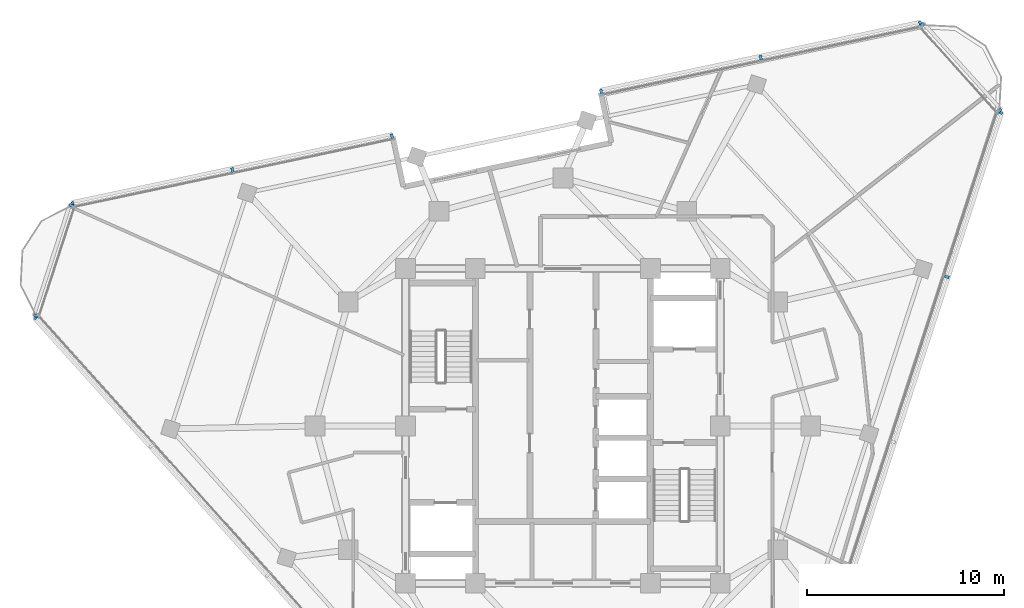
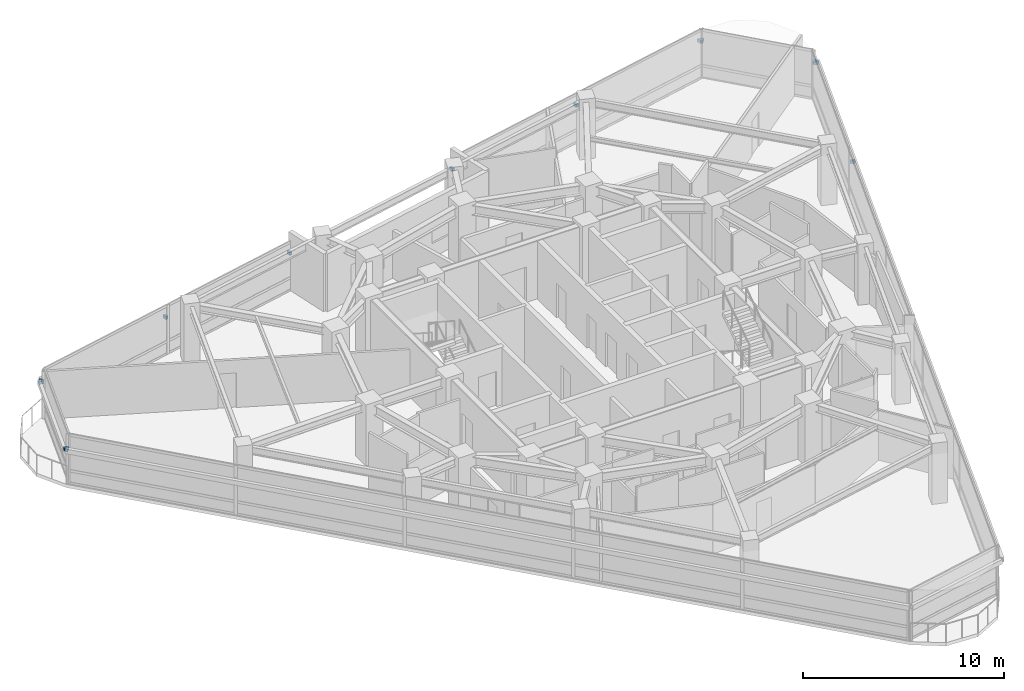
# One storey, part 11 of 15: 13 discrete accessories.
"""IFC4 building model written with IfcOpenShell, lengths in metres."""

from ifc_helpers import new_model, si_unit, direction, frame, origin, origin_2d, place, context, subcontext, project, spatial, rectangle, extrude, material, type_object, element, save


model = new_model("IFC4")

# Units and contexts
model_context = context("Model", 3, precision=1e-05, world=origin(), true_north=direction((0.0, 1.0)))
body_context = subcontext(model_context, "Body", "Model", "MODEL_VIEW")
ifc_project = project(units=[si_unit("LENGTHUNIT", "METRE"), si_unit("AREAUNIT", "SQUARE_METRE"), si_unit("VOLUMEUNIT", "CUBIC_METRE"), si_unit("PLANEANGLEUNIT", "RADIAN"), si_unit("MASSUNIT", "GRAM", prefix="KILO")], contexts=[model_context])

# Site, building, storey
site_placement = place(None, origin())
site = spatial("IfcSite", under=ifc_project, at=site_placement, CompositionType="ELEMENT")
building_placement = place(site_placement, origin())
building = spatial("IfcBuilding", under=site, at=building_placement, Name="Terralouvre Media Tower", CompositionType="ELEMENT")
storey_placement = place(building_placement, frame((0.0, 0.0, 301.699951171875)))
storey = spatial("IfcBuildingStorey", under=building, at=storey_placement, Name="L78", CompositionType="ELEMENT", Elevation=301.699951171875)

# Discrete accessories
ifc_material = material(Name="Anodised extruded aluminium 6063-T6", Category="aluminium")
discrete_accessory_type = type_object("IfcDiscreteAccessoryType", Name="Mullion Stand-Off Baguette Fixing Bracket BK-01", PredefinedType="BRACKET", material=ifc_material)
for number, where, z_axis, x_axis, name in (
    (1, (19.5126953125, 7.5771484375, 2.07421875), (0.0, 0.0, 1.0), (0.309017021946, 0.951056507337, 0.0), "CW-L78-F0 Baguette Outrigger Bracket 1.05"),
    (2, (22.22802734375, 15.93359375, 2.07421875), (0.0, 0.0, 1.0), (0.309017021946, 0.951056507337, 0.0), "CW-L78-F0 Baguette Outrigger Bracket 1.06"),
    (3, (18.169677734375, 20.440673828125, 2.07421875), (0.0, 0.0, 1.0), (-0.978147588229, -0.207911749648, 0.0), "CW-L78-F1L Baguette Outrigger Bracket 1.01"),
    (4, (10.058349609375, 18.716552734375, 2.07421875), (0.0, 0.0, 1.0), (-0.978147588229, -0.207911749648, 0.0), "CW-L78-F1L Baguette Outrigger Bracket 1.02"),
    (5, (1.947021484375, 16.992431640625, 2.07421875), (0.0, 0.0, 1.0), (-0.978147588229, -0.207911749648, 0.0), "CW-L78-F1L Baguette Outrigger Bracket 1.03"),
    (6, (-8.690185546875, 14.7314453125, 2.07421875), (0.0, 0.0, 1.0), (-0.978147684351, -0.20791129743, 0.0), "CW-L78-F1R Baguette Outrigger Bracket 1.01"),
    (7, (-16.801513671875, 13.00732421875, 2.07421875), (0.0, 0.0, 1.0), (-0.978147684351, -0.20791129743, 0.0), "CW-L78-F1R Baguette Outrigger Bracket 1.02"),
    (8, (-24.912841796875, 11.283203125, 2.07421875), (0.0, 0.0, 1.0), (-0.978147684351, -0.20791129743, 0.0), "CW-L78-F1R Baguette Outrigger Bracket 1.03"),
    (9, (-26.787109375, 5.51513671875, 2.07421875), (0.0, 0.0, 1.0), (0.669130573531, -0.743144855036, 0.0), "CW-L78-F2 Baguette Outrigger Bracket 1.01"),
    (10, (22.19140625, 16.022705078125, 2.07421875), (0.0, 0.0, 1.0), (-0.669130231192, 0.743145163279, 0.0), "CW-L78-C1 Baguette Outrigger Bracket 1.01"),
    (11, (18.254638671875, 20.39501953125, 2.07421875), (0.0, 0.0, 1.0), (-0.669130231192, 0.743145163279, 0.0), "CW-L78-C1 Baguette Outrigger Bracket 1.02"),
    (12, (-24.9716796875, 11.206787109375, 2.07421875), (0.0, 0.0, 1.0), (-0.30901654693, -0.951056661679, 0.0), "CW-L78-C2 Baguette Outrigger Bracket 1.01"),
    (13, (-26.789794921875, 5.611572265625, 2.07421875), (0.0, 0.0, 1.0), (-0.30901654693, -0.951056661679, 0.0), "CW-L78-C2 Baguette Outrigger Bracket 1.02"),
):
    element("IfcDiscreteAccessory", number, at=place(storey_placement, frame(where, z_axis=z_axis, x_axis=x_axis)), inside=storey, type_object=discrete_accessory_type, Name=name, PredefinedType="BRACKET", context=body_context, shape_type="SweptSolid", body=[
        extrude(rectangle(XDim=0.139892578125, YDim=0.239990234375, at=origin_2d()), origin(), (0.0, 0.0, 1.0), 0.179931640625),
    ])

save(model, "model.ifc")
